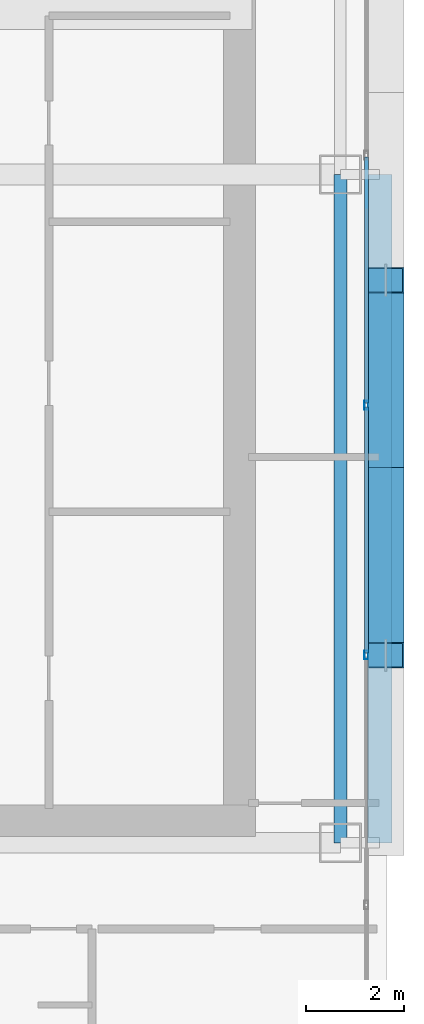
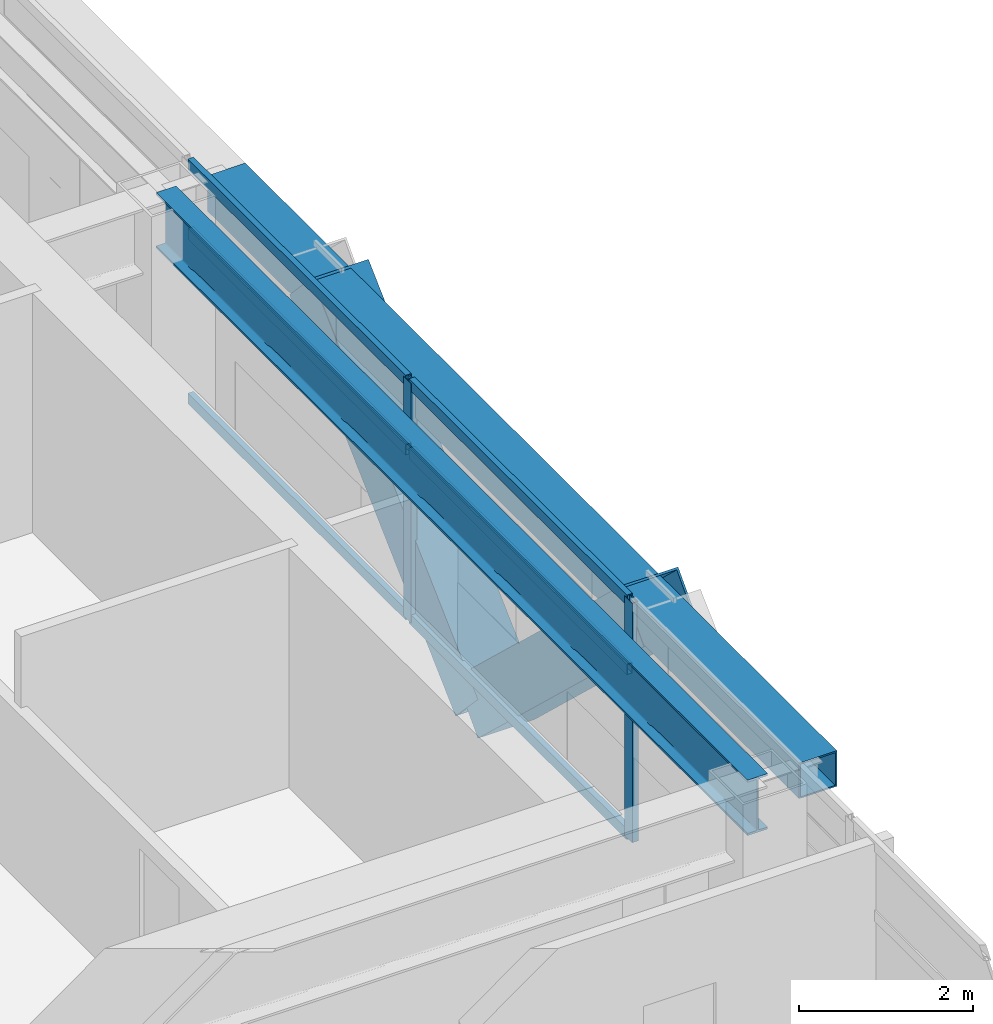
# One storey, part 13 of 36: 10 members, 2 beams, 1 element without a shape of its own.
"""IFC4 building model written with IfcOpenShell, lengths in metres."""

from ifc_helpers import new_model, si_unit, direction, frame, origin, origin_2d, place, context, subcontext, project, spatial, hollow_rectangle, i_section, extrude, source, transform, mapped, material, layer, layer_set, material_profile, profile_set, type_object, element, aggregate, save


model = new_model("IFC4")

# Units and contexts
model_context = context("Model", 3, precision=1e-05, world=origin(), true_north=direction((0.0, 1.0)))
body_context = subcontext(model_context, "Body", "Model", "MODEL_VIEW")
ifc_project = project(units=[si_unit("LENGTHUNIT", "METRE"), si_unit("AREAUNIT", "SQUARE_METRE"), si_unit("VOLUMEUNIT", "CUBIC_METRE"), si_unit("PLANEANGLEUNIT", "RADIAN"), si_unit("MASSUNIT", "GRAM", prefix="KILO")], contexts=[model_context])

# Site, building, storey
site_placement = place(None, origin())
site = spatial("IfcSite", under=ifc_project, at=site_placement, CompositionType="ELEMENT")
building_placement = place(site_placement, origin())
building = spatial("IfcBuilding", under=site, at=building_placement, Name="Ocotamira Hotel", CompositionType="ELEMENT")
storey_placement = place(building_placement, frame((0.0, 0.0, 97.199951171875)))
storey = spatial("IfcBuildingStorey", under=building, at=storey_placement, Name="L23", CompositionType="ELEMENT", Elevation=97.199951171875)

# Beams
ifc_material_1 = material(Name="Steel ASTM A992 Grade 50", Category="steel")
ifc_material_profile_1 = material_profile(ifc_material_1, i_section(OverallWidth=0.26611328125, OverallDepth=0.779052734375, WebThickness=0.0166015625, FlangeThickness=0.030029296875, FilletRadius=0.01806640625, at=origin_2d()), Name="W30X148")
ifc_profile_set_1 = profile_set([ifc_material_profile_1], Name="Steel ASTM A992 Grade 50")
beam_type_1 = type_object("IfcBeamType", Name="BM-GIRD-W30X148", PredefinedType="BEAM", material=ifc_profile_set_1)
shared_shape_1 = source(origin(), body_context, "Body", "SweptSolid", [
    extrude(i_section(OverallWidth=0.26611328125, OverallDepth=0.779052734375, WebThickness=0.0166015625, FlangeThickness=0.030029296875, FilletRadius=0.01806640625, at=origin_2d()), origin(), (0.0, 0.0, 1.0), 13.599853515625),
])
beam_1_placement = place(storey_placement, frame((55.050048828125, 14.550048828125, 2.970458984375), z_axis=(0.0, 1.0, 0.0), x_axis=(-1.0, 0.0, 0.0)))
element("IfcBeam", 1, at=beam_1_placement, inside=storey, type_object=beam_type_1, Name="L23 Beam X55.05 Y14.55-28.15", PredefinedType="BEAM", context=body_context, shape_type="MappedRepresentation", body=[
    mapped(shared_shape_1, transform((0.0, 0.0, 0.0), scale=1.0)),
])
ifc_material_2 = material(Name="Steel ASTM A500 Grade C", Category="steel")
ifc_material_profile_2 = material_profile(ifc_material_2, hollow_rectangle(XDim=0.5, YDim=0.5, WallThickness=0.02001953125, at=origin_2d()), Name="HSS500X500X20")
ifc_profile_set_2 = profile_set([ifc_material_profile_2], Name="Steel ASTM A500 Grade C")
beam_type_2 = type_object("IfcBeamType", Name="BM-SPAN-HSS500", PredefinedType="USERDEFINED", material=ifc_profile_set_2)
shared_shape_2 = source(origin(), body_context, "Body", "SweptSolid", [
    extrude(hollow_rectangle(XDim=0.5, YDim=0.5, WallThickness=0.02001953125, at=origin_2d()), origin(), (0.0, 0.0, 1.0), 13.599853515625),
])
beam_2_placement = place(storey_placement, frame((55.85009765625, 14.550048828125, 3.110107421875), z_axis=(0.0, 1.0, 0.0), x_axis=(-1.0, 0.0, 0.0)))
element("IfcBeam", 2, at=beam_2_placement, inside=storey, type_object=beam_type_2, Name="L23 Edge Spandrel E Y14.55-28.15", ObjectType="SPANDREL", PredefinedType="USERDEFINED", context=body_context, shape_type="MappedRepresentation", body=[
    mapped(shared_shape_2, transform((0.0, 0.0, 0.0), scale=1.0)),
])

# Members
ifc_material_3 = material(Name="Pale-metal coated steel ASTM A913 Grade 65", Category="steel")
ifc_material_profile_3 = material_profile(ifc_material_3, hollow_rectangle(XDim=0.75, YDim=0.75, WallThickness=0.028076171875, at=origin_2d()), Name="BOX750X750X28")
ifc_profile_set_3 = profile_set([ifc_material_profile_3], Name="Pale-metal coated steel ASTM A913 Grade 65")
member_type_1 = type_object("IfcMemberType", Name="MEM-EXO-BOX750", PredefinedType="BRACE", material=ifc_profile_set_3)
shared_shape_3 = source(origin(), body_context, "Body", "SweptSolid", [
    extrude(hollow_rectangle(XDim=0.75, YDim=0.75, WallThickness=0.028076171875, at=origin_2d()), origin(), (0.0, 0.0, 1.0), 5.24658203125),
])
for number, where, z_axis, x_axis, name in (
    (3, (55.969970703125, 22.183349609375, -0.489990234375), (0.0, -0.727442733726, 0.686168397078), (1.0, 0.0, 0.0), "L23 Exoskeleton Diagrid E0.2"),
    (4, (55.969970703125, 22.183349609375, -0.489990234375), (0.0, 0.727442733726, 0.686168397078), (-1.0, 0.0, 0.0), "L23 Exoskeleton Diagrid E1.1"),
):
    element("IfcMember", number, at=place(storey_placement, frame(where, z_axis=z_axis, x_axis=x_axis)), inside=storey, type_object=member_type_1, Name=name, PredefinedType="BRACE", context=body_context, shape_type="MappedRepresentation", body=[
        mapped(shared_shape_3, transform((0.0, 0.0, 0.0), scale=1.0)),
    ])

# Curtain wall, members
ifc_material_4 = material(Name="Anodised pale-metal aluminium and solar glass", Category="aluminium")
ifc_layer = layer(ifc_material_4, 0.179931640625)
ifc_layer_set = layer_set([ifc_layer], Name="Anodised pale-metal aluminium and solar glass")
curtain_wall_type = type_object("IfcCurtainWallType", Name="CW-SYS3-Z2", PredefinedType="NOTDEFINED", material=ifc_layer_set)
curtain_wall_placement = place(storey_placement, origin())
curtain_wall = element("IfcCurtainWall", 5, at=curtain_wall_placement, inside=storey, type_object=curtain_wall_type, Name="L23 Curtain Wall CW-3 CW-L23-E", PredefinedType="NOTDEFINED")
ifc_material_5 = material(Name="Anodised pale-metal aluminium 6063-T6", Category="aluminium")
ifc_material_profile_4 = material_profile(ifc_material_5, hollow_rectangle(XDim=0.074951171875, YDim=0.14990234375, WallThickness=0.006103515625, at=origin_2d()), Name="HSS150X75X6")
ifc_profile_set_4 = profile_set([ifc_material_profile_4], Name="Anodised pale-metal aluminium 6063-T6")
member_type_2 = type_object("IfcMemberType", Name="CWT-150X75", PredefinedType="USERDEFINED", material=ifc_profile_set_4)
shared_shape_4 = source(origin(), body_context, "Body", "SweptSolid", [
    extrude(hollow_rectangle(XDim=0.074951171875, YDim=0.14990234375, WallThickness=0.006103515625, at=origin_2d()), origin(), (0.0, 0.0, 1.0), 5.005859375),
])
member_1_placement = place(storey_placement, frame((55.580078125, 18.411376953125, 0.03759765625), z_axis=(0.0, 1.0, 0.0), x_axis=(-1.0, 0.0, 0.0)))
member_1 = element("IfcMember", 6, at=member_1_placement, type_object=member_type_2, Name="CW-3 transom 3.1", ObjectType="TRANSOM", PredefinedType="USERDEFINED", context=body_context, shape_type="MappedRepresentation", body=[
    mapped(shared_shape_4, transform((0.0, 0.0, 0.0), scale=1.0)),
])
member_2_placement = place(storey_placement, frame((55.580078125, 18.411376953125, 2.35009765625), z_axis=(0.0, 1.0, 0.0), x_axis=(-1.0, 0.0, 0.0)))
member_2 = element("IfcMember", 7, at=member_2_placement, type_object=member_type_2, Name="CW-3 transom 3.2", ObjectType="TRANSOM", PredefinedType="USERDEFINED", context=body_context, shape_type="MappedRepresentation", body=[
    mapped(shared_shape_4, transform((0.0, 0.0, 0.0), scale=1.0)),
])
member_3_placement = place(storey_placement, frame((55.580078125, 18.411376953125, 3.322509765625), z_axis=(0.0, 1.0, 0.0), x_axis=(-1.0, 0.0, 0.0)))
member_3 = element("IfcMember", 8, at=member_3_placement, type_object=member_type_2, Name="CW-3 transom 3.3", ObjectType="TRANSOM", PredefinedType="USERDEFINED", context=body_context, shape_type="MappedRepresentation", body=[
    mapped(shared_shape_4, transform((0.0, 0.0, 0.0), scale=1.0)),
])
member_4_placement = place(storey_placement, frame((55.580078125, 23.4970703125, 0.03759765625), z_axis=(0.0, 1.0, 0.0), x_axis=(-1.0, 0.0, 0.0)))
member_4 = element("IfcMember", 9, at=member_4_placement, type_object=member_type_2, Name="CW-3 transom 4.1", ObjectType="TRANSOM", PredefinedType="USERDEFINED", context=body_context, shape_type="MappedRepresentation", body=[
    mapped(shared_shape_4, transform((0.0, 0.0, 0.0), scale=1.0)),
])
member_5_placement = place(storey_placement, frame((55.580078125, 23.4970703125, 2.35009765625), z_axis=(0.0, 1.0, 0.0), x_axis=(-1.0, 0.0, 0.0)))
member_5 = element("IfcMember", 10, at=member_5_placement, type_object=member_type_2, Name="CW-3 transom 4.2", ObjectType="TRANSOM", PredefinedType="USERDEFINED", context=body_context, shape_type="MappedRepresentation", body=[
    mapped(shared_shape_4, transform((0.0, 0.0, 0.0), scale=1.0)),
])
member_6_placement = place(storey_placement, frame((55.580078125, 23.4970703125, 3.322509765625), z_axis=(0.0, 1.0, 0.0), x_axis=(-1.0, 0.0, 0.0)))
member_6 = element("IfcMember", 11, at=member_6_placement, type_object=member_type_2, Name="CW-3 transom 4.3", ObjectType="TRANSOM", PredefinedType="USERDEFINED", context=body_context, shape_type="MappedRepresentation", body=[
    mapped(shared_shape_4, transform((0.0, 0.0, 0.0), scale=1.0)),
])
ifc_material_profile_5 = material_profile(ifc_material_5, hollow_rectangle(XDim=0.080078125, YDim=0.179931640625, WallThickness=0.006103515625, at=origin_2d()), Name="HSS180X80X6")
ifc_profile_set_5 = profile_set([ifc_material_profile_5], Name="Anodised pale-metal aluminium 6063-T6")
member_type_3 = type_object("IfcMemberType", Name="CWM-180X75", PredefinedType="MULLION", material=ifc_profile_set_5)
shared_shape_5 = source(origin(), body_context, "Body", "SweptSolid", [
    extrude(hollow_rectangle(XDim=0.080078125, YDim=0.179931640625, WallThickness=0.006103515625, at=origin_2d()), origin(), (0.0, 0.0, 1.0), 3.360107421875),
])
member_7_placement = place(storey_placement, frame((55.580078125, 18.371337890625, 0.0), z_axis=(0.0, 0.0, 1.0), x_axis=(-1.0, 0.0, 0.0)))
member_7 = element("IfcMember", 12, at=member_7_placement, type_object=member_type_3, Name="CW-3 mullion 3", PredefinedType="MULLION", context=body_context, shape_type="MappedRepresentation", body=[
    mapped(shared_shape_5, transform((0.0, 0.0, 0.0), scale=1.0)),
])
member_8_placement = place(storey_placement, frame((55.580078125, 23.45703125, 0.0), z_axis=(0.0, 0.0, 1.0), x_axis=(-1.0, 0.0, 0.0)))
member_8 = element("IfcMember", 13, at=member_8_placement, type_object=member_type_3, Name="CW-3 mullion 4", PredefinedType="MULLION", context=body_context, shape_type="MappedRepresentation", body=[
    mapped(shared_shape_5, transform((0.0, 0.0, 0.0), scale=1.0)),
])
aggregate(curtain_wall, [member_7, member_8, member_1, member_2, member_3, member_4, member_5, member_6])

save(model, "model.ifc")
